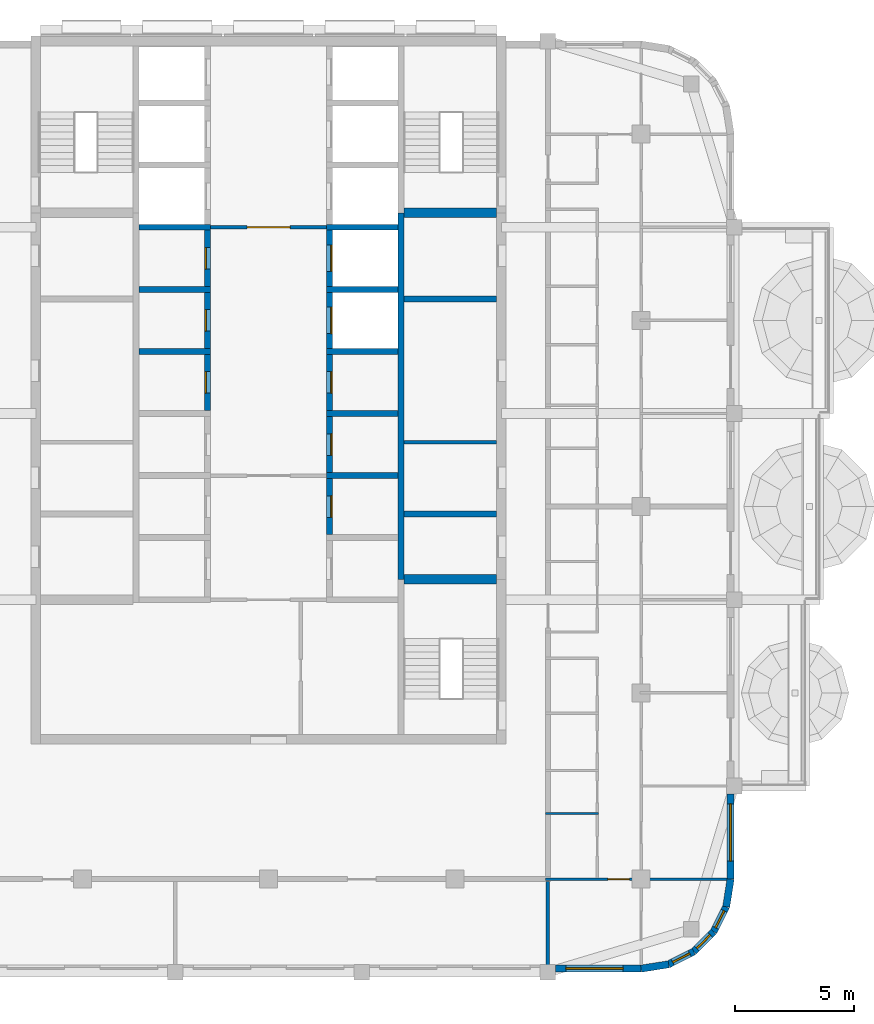
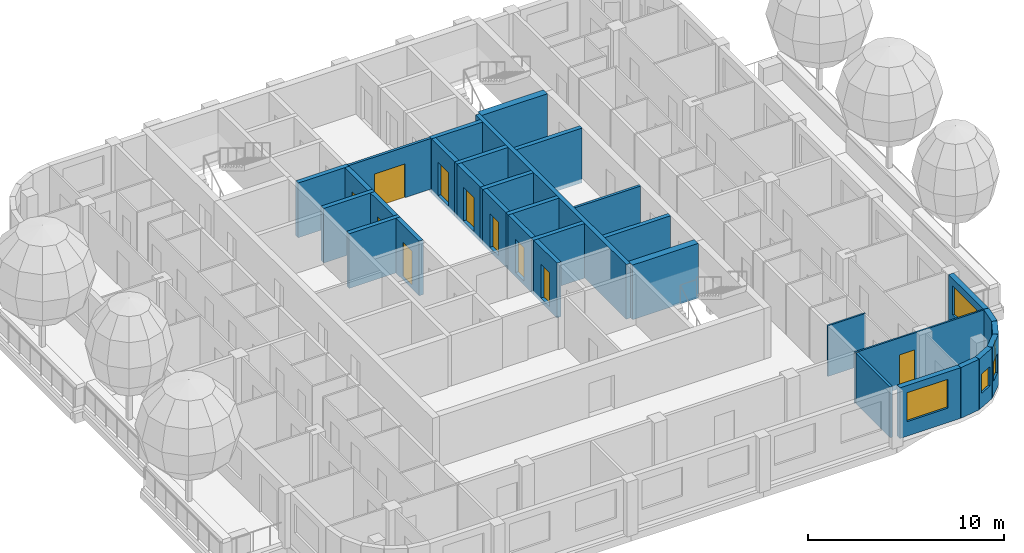
# One storey, part 5 of 13: 33 walls, 10 doors, 5 windows, 15 openings.
"""IFC4 building model written with IfcOpenShell, lengths in metres."""

from ifc_helpers import new_model, si_unit, direction, frame, frame_2d, origin, place, context, subcontext, project, spatial, rectangle, extrude, material, layer, layer_set, type_object, element, fill, save


model = new_model("IFC4")

# Units and contexts
model_context = context("Model", 3, precision=1e-05, world=origin(), true_north=direction((0.0, 1.0)))
body_context = subcontext(model_context, "Body", "Model", "MODEL_VIEW")
ifc_project = project(units=[si_unit("LENGTHUNIT", "METRE"), si_unit("AREAUNIT", "SQUARE_METRE"), si_unit("VOLUMEUNIT", "CUBIC_METRE"), si_unit("PLANEANGLEUNIT", "RADIAN"), si_unit("MASSUNIT", "GRAM", prefix="KILO")], contexts=[model_context])

# Site, building, storey
site_placement = place(None, origin())
site = spatial("IfcSite", under=ifc_project, at=site_placement, CompositionType="ELEMENT")
building_placement = place(site_placement, origin())
building = spatial("IfcBuilding", under=site, at=building_placement, Name="Ludao Terraces", CompositionType="ELEMENT")
storey_placement = place(building_placement, frame((0.0, 0.0, 259.60009765625)))
storey = spatial("IfcBuildingStorey", under=building, at=storey_placement, Name="L71", CompositionType="ELEMENT", Elevation=259.60009765625)

# Wall, opening, window
ifc_material_1 = material(Name="Granite cladding", Category="masonry")
ifc_layer_1 = layer(ifc_material_1, 0.0400390625, Category="stone")
ifc_material_2 = material(Name="Mineral wool")
ifc_layer_2 = layer(ifc_material_2, 0.06005859375)
ifc_material_3 = material(Name="Concrete C40", Category="concrete")
ifc_layer_3 = layer(ifc_material_3, 0.199951171875, Category="concrete")
ifc_layer_set_1 = layer_set([ifc_layer_1, ifc_layer_2, ifc_layer_3], Name="ENV Stone-clad wall 300")
wall_type_1 = type_object("IfcWallType", Name="ENV Stone-clad wall 300", PredefinedType="SOLIDWALL", material=ifc_layer_set_1)
wall_1_placement = place(storey_placement, frame((97.02490234375, 45.64990234375, 0.0), z_axis=(0.0, 0.0, 1.0), x_axis=(1.0, 0.0, 0.0)))
wall_1 = element("IfcWall", 1, at=wall_1_placement, inside=storey, type_object=wall_type_1, Name="EW-L71-S5", PredefinedType="SOLIDWALL", context=body_context, shape_type="SweptSolid", body=[
    extrude(rectangle(XDim=3.5751953125, YDim=0.300048828125, at=frame_2d((1.78759765625, 0.0))), origin(), (0.0, 0.0, 1.0), 3.14990234375),
])
opening_1_placement = place(wall_1_placement, frame((0.425048828125, 0.0, 0.89990234375)))
opening_1 = element("IfcOpeningElement", 2, at=opening_1_placement, cuts=wall_1, Name="Opening W1", PredefinedType="OPENING", context=body_context, shape_type="SweptSolid", body=[
    extrude(rectangle(XDim=2.39990234375, YDim=1.800048828125, at=frame_2d((1.199951171875, 0.89990234375))), frame((0.0, 0.16015625, 0.0), z_axis=(0.0, -1.0, 0.0), x_axis=(1.0, 0.0, 0.0)), (0.0, 0.0, 1.0), 0.320068359375),
])
ifc_material_4 = material(Name="Clear glass in aluminium frame", Category="aluminium")
ifc_layer_4 = layer(ifc_material_4, 0.06005859375)
ifc_layer_set_2 = layer_set([ifc_layer_4], Name="ENV Window W1 2400x1800")
window_type_1 = type_object("IfcWindowType", Name="ENV Window W1 2400x1800", PartitioningType="DOUBLE_PANEL_VERTICAL", PredefinedType="WINDOW", material=ifc_layer_set_2)
window_1_placement = place(opening_1_placement, origin())
window_1 = element("IfcWindow", 3, at=window_1_placement, inside=storey, type_object=window_type_1, Name="W-L71-S5-1", OverallHeight=1.800048828125, OverallWidth=2.39990234375, PartitioningType="DOUBLE_PANEL_VERTICAL", PredefinedType="WINDOW", context=body_context, shape_type="SweptSolid", body=[
    extrude(rectangle(XDim=2.39990234375, YDim=1.800048828125, at=frame_2d((1.199951171875, 0.89990234375))), frame((0.0, 0.030029296875, 0.0), z_axis=(0.0, -1.0, 0.0), x_axis=(1.0, 0.0, 0.0)), (0.0, 0.0, 1.0), 0.06005859375),
])
fill(opening_1, window_1)

wall_2_placement = place(storey_placement, frame((104.35009765625, 49.39990234375, 0.0), z_axis=(0.0, 0.0, 1.0), x_axis=(0.0, 1.0, 0.0)))
wall_2 = element("IfcWall", 4, at=wall_2_placement, inside=storey, type_object=wall_type_1, Name="EW-L71-E1", PredefinedType="SOLIDWALL", context=body_context, shape_type="SweptSolid", body=[
    extrude(rectangle(XDim=3.5751953125, YDim=0.300048828125, at=frame_2d((1.78759765625, 0.0))), origin(), (0.0, 0.0, 1.0), 3.14990234375),
])
opening_2_placement = place(wall_2_placement, frame((0.75, 0.0, 0.89990234375)))
opening_2 = element("IfcOpeningElement", 5, at=opening_2_placement, cuts=wall_2, Name="Opening W1", PredefinedType="OPENING", context=body_context, shape_type="SweptSolid", body=[
    extrude(rectangle(XDim=2.39990234375, YDim=1.800048828125, at=frame_2d((1.199951171875, 0.89990234375))), frame((0.0, 0.16015625, 0.0), z_axis=(0.0, -1.0, 0.0), x_axis=(1.0, 0.0, 0.0)), (0.0, 0.0, 1.0), 0.320068359375),
])
window_2_placement = place(opening_2_placement, origin())
window_2 = element("IfcWindow", 6, at=window_2_placement, inside=storey, type_object=window_type_1, Name="W-L71-E1-1", OverallHeight=1.800048828125, OverallWidth=2.39990234375, PartitioningType="DOUBLE_PANEL_VERTICAL", PredefinedType="WINDOW", context=body_context, shape_type="SweptSolid", body=[
    extrude(rectangle(XDim=2.39990234375, YDim=1.800048828125, at=frame_2d((1.199951171875, 0.89990234375))), frame((0.0, 0.030029296875, 0.0), z_axis=(0.0, -1.0, 0.0), x_axis=(1.0, 0.0, 0.0)), (0.0, 0.0, 1.0), 0.06005859375),
])
fill(opening_2, window_2)

# Wall
wall_3_placement = place(storey_placement, frame((100.60009765625, 45.64990234375, 0.0), z_axis=(0.0, 0.0, 1.0), x_axis=(0.987678452879, 0.156496880861, 0.0)))
element("IfcWall", 7, at=wall_3_placement, inside=storey, type_object=wall_type_1, Name="EW-L71-SE1", PredefinedType="SOLIDWALL", context=body_context, shape_type="SweptSolid", body=[
    extrude(rectangle(XDim=1.173095703125, YDim=0.300048828125, at=frame_2d((0.58642578125, 0.0))), origin(), (0.0, 0.0, 1.0), 3.14990234375),
])

# Wall, opening, window
wall_4_placement = place(storey_placement, frame((101.7587890625, 45.83349609375, 0.0), z_axis=(0.0, 0.0, 1.0), x_axis=(0.890988677504, 0.454025524128, 0.0)))
wall_4 = element("IfcWall", 8, at=wall_4_placement, inside=storey, type_object=wall_type_1, Name="EW-L71-SE2", PredefinedType="SOLIDWALL", context=body_context, shape_type="SweptSolid", body=[
    extrude(rectangle(XDim=1.17333984375, YDim=0.300048828125, at=frame_2d((0.586669921875, 0.0))), origin(), (0.0, 0.0, 1.0), 3.14990234375),
])
opening_3_placement = place(wall_4_placement, frame((0.1865234375, 0.0, 0.89990234375)))
opening_3 = element("IfcOpeningElement", 9, at=opening_3_placement, cuts=wall_4, Name="Opening W3", PredefinedType="OPENING", context=body_context, shape_type="SweptSolid", body=[
    extrude(rectangle(XDim=0.800048828125, YDim=1.199951171875, at=frame_2d((0.39990234375, 0.60009765625))), frame((0.0, 0.16015625, 0.0), z_axis=(0.0, -1.0, 0.0), x_axis=(1.0, 0.0, 0.0)), (0.0, 0.0, 1.0), 0.320068359375),
])
ifc_layer_5 = layer(ifc_material_4, 0.06005859375)
ifc_layer_set_3 = layer_set([ifc_layer_5], Name="ENV Window W3 800x1200")
window_type_2 = type_object("IfcWindowType", Name="ENV Window W3 800x1200", PartitioningType="SINGLE_PANEL", PredefinedType="WINDOW", material=ifc_layer_set_3)
window_3_placement = place(opening_3_placement, origin())
window_3 = element("IfcWindow", 10, at=window_3_placement, inside=storey, type_object=window_type_2, Name="W-L71-SE2", OverallHeight=1.199951171875, OverallWidth=0.800048828125, PartitioningType="SINGLE_PANEL", PredefinedType="WINDOW", context=body_context, shape_type="SweptSolid", body=[
    extrude(rectangle(XDim=0.800048828125, YDim=1.199951171875, at=frame_2d((0.39990234375, 0.60009765625))), frame((0.0, 0.030029296875, 0.0), z_axis=(0.0, -1.0, 0.0), x_axis=(1.0, 0.0, 0.0)), (0.0, 0.0, 1.0), 0.06005859375),
])
fill(opening_3, window_3)

wall_5_placement = place(storey_placement, frame((102.80419921875, 46.3662109375, 0.0), z_axis=(0.0, 0.0, 1.0), x_axis=(0.707106781187, 0.707106781187, 0.0)))
wall_5 = element("IfcWall", 11, at=wall_5_placement, inside=storey, type_object=wall_type_1, Name="EW-L71-SE3", PredefinedType="SOLIDWALL", context=body_context, shape_type="SweptSolid", body=[
    extrude(rectangle(XDim=1.173095703125, YDim=0.300048828125, at=frame_2d((0.58642578125, 0.0))), origin(), (0.0, 0.0, 1.0), 3.14990234375),
])
opening_4_placement = place(wall_5_placement, frame((0.1865234375, 0.0, 0.89990234375)))
opening_4 = element("IfcOpeningElement", 12, at=opening_4_placement, cuts=wall_5, Name="Opening W3", PredefinedType="OPENING", context=body_context, shape_type="SweptSolid", body=[
    extrude(rectangle(XDim=0.800048828125, YDim=1.199951171875, at=frame_2d((0.39990234375, 0.60009765625))), frame((0.0, 0.16015625, 0.0), z_axis=(0.0, -1.0, 0.0), x_axis=(1.0, 0.0, 0.0)), (0.0, 0.0, 1.0), 0.320068359375),
])
window_4_placement = place(opening_4_placement, origin())
window_4 = element("IfcWindow", 13, at=window_4_placement, inside=storey, type_object=window_type_2, Name="W-L71-SE3", OverallHeight=1.199951171875, OverallWidth=0.800048828125, PartitioningType="SINGLE_PANEL", PredefinedType="WINDOW", context=body_context, shape_type="SweptSolid", body=[
    extrude(rectangle(XDim=0.800048828125, YDim=1.199951171875, at=frame_2d((0.39990234375, 0.60009765625))), frame((0.0, 0.030029296875, 0.0), z_axis=(0.0, -1.0, 0.0), x_axis=(1.0, 0.0, 0.0)), (0.0, 0.0, 1.0), 0.06005859375),
])
fill(opening_4, window_4)

wall_6_placement = place(storey_placement, frame((103.6337890625, 47.19580078125, 0.0), z_axis=(0.0, 0.0, 1.0), x_axis=(0.454025524128, 0.890988677504, 0.0)))
wall_6 = element("IfcWall", 14, at=wall_6_placement, inside=storey, type_object=wall_type_1, Name="EW-L71-SE4", PredefinedType="SOLIDWALL", context=body_context, shape_type="SweptSolid", body=[
    extrude(rectangle(XDim=1.17333984375, YDim=0.300048828125, at=frame_2d((0.586669921875, 0.0))), origin(), (0.0, 0.0, 1.0), 3.14990234375),
])
opening_5_placement = place(wall_6_placement, frame((0.1865234375, 0.0, 0.89990234375)))
opening_5 = element("IfcOpeningElement", 15, at=opening_5_placement, cuts=wall_6, Name="Opening W3", PredefinedType="OPENING", context=body_context, shape_type="SweptSolid", body=[
    extrude(rectangle(XDim=0.800048828125, YDim=1.199951171875, at=frame_2d((0.39990234375, 0.60009765625))), frame((0.0, 0.16015625, 0.0), z_axis=(0.0, -1.0, 0.0), x_axis=(1.0, 0.0, 0.0)), (0.0, 0.0, 1.0), 0.320068359375),
])
window_5_placement = place(opening_5_placement, origin())
window_5 = element("IfcWindow", 16, at=window_5_placement, inside=storey, type_object=window_type_2, Name="W-L71-SE4", OverallHeight=1.199951171875, OverallWidth=0.800048828125, PartitioningType="SINGLE_PANEL", PredefinedType="WINDOW", context=body_context, shape_type="SweptSolid", body=[
    extrude(rectangle(XDim=0.800048828125, YDim=1.199951171875, at=frame_2d((0.39990234375, 0.60009765625))), frame((0.0, 0.030029296875, 0.0), z_axis=(0.0, -1.0, 0.0), x_axis=(1.0, 0.0, 0.0)), (0.0, 0.0, 1.0), 0.06005859375),
])
fill(opening_5, window_5)

# Walls
wall_7_placement = place(storey_placement, frame((104.16650390625, 48.2412109375, 0.0), z_axis=(0.0, 0.0, 1.0), x_axis=(0.156496880861, 0.987678452879, 0.0)))
element("IfcWall", 17, at=wall_7_placement, inside=storey, type_object=wall_type_1, Name="EW-L71-SE5", PredefinedType="SOLIDWALL", context=body_context, shape_type="SweptSolid", body=[
    extrude(rectangle(XDim=1.173095703125, YDim=0.300048828125, at=frame_2d((0.58642578125, 0.0))), origin(), (0.0, 0.0, 1.0), 3.14990234375),
])
ifc_material_5 = material(Name="Fire-rated gypsum plasterboard", Category="gypsum")
ifc_layer_6 = layer(ifc_material_5, 0.012451171875, Category="gypsum")
ifc_layer_7 = layer(ifc_material_2, 0.10009765625, Name="insulation")
ifc_material_6 = material(Name="Steel Q235", Category="steel")
ifc_layer_8 = layer(ifc_material_6, 0.02490234375, Name="stud")
ifc_layer_9 = layer(ifc_material_5, 0.012451171875, Category="gypsum")
ifc_layer_set_4 = layer_set([ifc_layer_6, ifc_layer_7, ifc_layer_8, ifc_layer_9], Name="INT Core partition 150")
wall_type_2 = type_object("IfcWallType", Name="INT Core partition 150", PredefinedType="PARTITIONING", material=ifc_layer_set_4)
wall_8_placement = place(storey_placement, frame((90.675048828125, 67.699951171875, 0.0), z_axis=(0.0, 0.0, 1.0), x_axis=(1.0, 0.0, 0.0)))
element("IfcWall", 18, at=wall_8_placement, inside=storey, type_object=wall_type_2, Name="PW-L71-PW028", PredefinedType="PARTITIONING", context=body_context, shape_type="SweptSolid", body=[
    extrude(rectangle(XDim=3.875, YDim=0.14990234375, at=frame_2d((1.9375, 0.0))), origin(), (0.0, 0.0, 1.0), 3.14990234375),
])

# Wall, opening, door
wall_9_placement = place(storey_placement, frame((82.5751953125, 76.699951171875, 0.0), z_axis=(0.0, 0.0, 1.0), x_axis=(1.0, 0.0, 0.0)))
wall_9 = element("IfcWall", 19, at=wall_9_placement, inside=storey, type_object=wall_type_2, Name="PW-L71-PW039", PredefinedType="PARTITIONING", context=body_context, shape_type="SweptSolid", body=[
    extrude(rectangle(XDim=4.849853515625, YDim=0.14990234375, at=frame_2d((2.4248046875, 0.0))), origin(), (0.0, 0.0, 1.0), 3.14990234375),
])
opening_6_placement = place(wall_9_placement, frame((1.52490234375, 0.0, 0.0)))
opening_6 = element("IfcOpeningElement", 20, at=opening_6_placement, cuts=wall_9, Name="Opening R26-070", PredefinedType="OPENING", context=body_context, shape_type="SweptSolid", body=[
    extrude(rectangle(XDim=1.800048828125, YDim=2.10009765625, at=frame_2d((0.89990234375, 1.050048828125))), frame((0.0, 0.0849609375, 0.0), z_axis=(0.0, -1.0, 0.0), x_axis=(1.0, 0.0, 0.0)), (0.0, 0.0, 1.0), 0.169921875),
])
door_type_1 = type_object("IfcDoorType", Name="INT Fire lobby door 1800", OperationType="DOUBLE_DOOR_SINGLE_SWING", PredefinedType="DOOR", material=ifc_material_6)
door_1_placement = place(opening_6_placement, origin())
door_1 = element("IfcDoor", 21, at=door_1_placement, inside=storey, type_object=door_type_1, Name="DOOR 070", OperationType="DOUBLE_DOOR_SINGLE_SWING", OverallHeight=2.10009765625, OverallWidth=1.800048828125, PredefinedType="DOOR", context=body_context, shape_type="SweptSolid", body=[
    extrude(rectangle(XDim=1.800048828125, YDim=2.10009765625, at=frame_2d((0.89990234375, 1.050048828125))), frame((0.0, 0.02490234375, 0.0), z_axis=(0.0, -1.0, 0.0), x_axis=(1.0, 0.0, 0.0)), (0.0, 0.0, 1.0), 0.050048828125),
])
fill(opening_6, door_1)

ifc_material_7 = material(Name="Gypsum plasterboard", Category="gypsum")
ifc_layer_10 = layer(ifc_material_7, 0.012451171875, Category="gypsum")
ifc_layer_11 = layer(ifc_material_2, 0.06005859375, Name="insulation")
ifc_layer_12 = layer(ifc_material_6, 0.014892578125, Name="stud")
ifc_layer_13 = layer(ifc_material_7, 0.012451171875, Category="gypsum")
ifc_layer_set_5 = layer_set([ifc_layer_10, ifc_layer_11, ifc_layer_12, ifc_layer_13], Name="INT Partition 100")
wall_type_3 = type_object("IfcWallType", Name="INT Partition 100", PredefinedType="PARTITIONING", material=ifc_layer_set_5)
wall_10_placement = place(storey_placement, frame((96.60009765625, 49.39990234375, 0.0), z_axis=(0.0, 0.0, 1.0), x_axis=(1.0, 0.0, 0.0)))
wall_10 = element("IfcWall", 22, at=wall_10_placement, inside=storey, type_object=wall_type_3, Name="PW-L71-PW002", PredefinedType="PARTITIONING", context=body_context, shape_type="SweptSolid", body=[
    extrude(rectangle(XDim=7.60009765625, YDim=0.10009765625, at=frame_2d((3.800048828125, 0.0))), origin(), (0.0, 0.0, 1.0), 3.14990234375),
])
opening_7_placement = place(wall_10_placement, frame((2.610107421875, 0.0, 0.0)))
opening_7 = element("IfcOpeningElement", 23, at=opening_7_placement, cuts=wall_10, Name="Opening R26-006", PredefinedType="OPENING", context=body_context, shape_type="SweptSolid", body=[
    extrude(rectangle(XDim=0.89990234375, YDim=2.10009765625, at=frame_2d((0.449951171875, 1.050048828125))), frame((0.0, 0.06005859375, 0.0), z_axis=(0.0, -1.0, 0.0), x_axis=(1.0, 0.0, 0.0)), (0.0, 0.0, 1.0), 0.1201171875),
])
ifc_material_8 = material(Name="Timber door leaf", Category="wood")
door_type_2 = type_object("IfcDoorType", Name="INT Room door 900", OperationType="SINGLE_SWING_LEFT", PredefinedType="DOOR", material=ifc_material_8)
door_2_placement = place(opening_7_placement, origin())
door_2 = element("IfcDoor", 24, at=door_2_placement, inside=storey, type_object=door_type_2, Name="DOOR 006", OperationType="SINGLE_SWING_LEFT", OverallHeight=2.10009765625, OverallWidth=0.89990234375, PredefinedType="DOOR", context=body_context, shape_type="SweptSolid", body=[
    extrude(rectangle(XDim=0.89990234375, YDim=2.10009765625, at=frame_2d((0.449951171875, 1.050048828125))), frame((0.0, 0.02490234375, 0.0), z_axis=(0.0, -1.0, 0.0), x_axis=(1.0, 0.0, 0.0)), (0.0, 0.0, 1.0), 0.050048828125),
])
fill(opening_7, door_2)

# Walls
wall_11_placement = place(storey_placement, frame((96.60009765625, 52.14990234375, 0.0), z_axis=(0.0, 0.0, 1.0), x_axis=(1.0, 0.0, 0.0)))
element("IfcWall", 25, at=wall_11_placement, inside=storey, type_object=wall_type_3, Name="PW-L71-PW004", PredefinedType="PARTITIONING", context=body_context, shape_type="SweptSolid", body=[
    extrude(rectangle(XDim=2.219970703125, YDim=0.10009765625, at=frame_2d((1.10986328125, 0.0))), origin(), (0.0, 0.0, 1.0), 3.14990234375),
])
ifc_material_9 = material(Name="Autoclaved aerated concrete block B06 A3.5", Category="concrete")
ifc_layer_14 = layer(ifc_material_9, 0.14990234375)
ifc_layer_set_6 = layer_set([ifc_layer_14], Name="INT Party wall 150")
wall_type_4 = type_object("IfcWallType", Name="INT Party wall 150", PredefinedType="PARTITIONING", material=ifc_layer_set_6)
wall_12_placement = place(storey_placement, frame((96.699951171875, 45.800048828125, 0.0), z_axis=(0.0, 0.0, 1.0), x_axis=(0.0, 1.0, 0.0)))
element("IfcWall", 26, at=wall_12_placement, inside=storey, type_object=wall_type_4, Name="PW-L71-PW055", PredefinedType="PARTITIONING", context=body_context, shape_type="SweptSolid", body=[
    extrude(rectangle(XDim=3.5, YDim=0.14990234375, at=frame_2d((1.75, 0.0))), origin(), (0.0, 0.0, 1.0), 3.14990234375),
])
ifc_material_10 = material(Name="Concrete C50", Category="concrete")
ifc_layer_15 = layer(ifc_material_10, 0.25)
ifc_layer_set_7 = layer_set([ifc_layer_15], Name="Shaft wall 250 C50")
wall_type_5 = type_object("IfcWallType", Name="Shaft wall 250 C50", PredefinedType="SOLIDWALL", material=ifc_layer_set_7)
wall_13_placement = place(storey_placement, frame((90.550048828125, 61.949951171875, -0.25), z_axis=(0.0, 0.0, 1.0), x_axis=(0.0, 1.0, 0.0)))
element("IfcWall", 27, at=wall_13_placement, inside=storey, type_object=wall_type_5, Name="Core wall L71 back-E", PredefinedType="SOLIDWALL", context=body_context, shape_type="SweptSolid", body=[
    extrude(rectangle(XDim=15.35009765625, YDim=0.25, at=frame_2d((7.675048828125, 0.0))), origin(), (0.0, 0.0, 1.0), 3.39990234375),
])

# Wall, opening, door
wall_14_placement = place(storey_placement, frame((82.449951171875, 69.02490234375, -0.25), z_axis=(0.0, 0.0, 1.0), x_axis=(0.0, 1.0, 0.0)))
wall_14 = element("IfcWall", 28, at=wall_14_placement, inside=storey, type_object=wall_type_5, Name="Core wall L71 front-W4", PredefinedType="SOLIDWALL", context=body_context, shape_type="SweptSolid", body=[
    extrude(rectangle(XDim=2.35009765625, YDim=0.25, at=frame_2d((1.175048828125, 0.0))), origin(), (0.0, 0.0, 1.0), 3.39990234375),
])
opening_8_placement = place(wall_14_placement, frame((0.72509765625, 0.0, 0.25)))
opening_8 = element("IfcOpeningElement", 29, at=opening_8_placement, cuts=wall_14, Name="Opening R26-050", PredefinedType="OPENING", context=body_context, shape_type="SweptSolid", body=[
    extrude(rectangle(XDim=0.89990234375, YDim=2.10009765625, at=frame_2d((0.449951171875, 1.050048828125))), frame((0.0, 0.135009765625, 0.0), z_axis=(0.0, -1.0, 0.0), x_axis=(1.0, 0.0, 0.0)), (0.0, 0.0, 1.0), 0.27001953125),
])
door_3_placement = place(opening_8_placement, origin())
door_3 = element("IfcDoor", 30, at=door_3_placement, inside=storey, type_object=door_type_2, Name="DOOR 050", OperationType="SINGLE_SWING_RIGHT", OverallHeight=2.10009765625, OverallWidth=0.89990234375, PredefinedType="DOOR", context=body_context, shape_type="SweptSolid", body=[
    extrude(rectangle(XDim=0.89990234375, YDim=2.10009765625, at=frame_2d((0.449951171875, 1.050048828125))), frame((0.0, 0.10986328125, 0.0), z_axis=(0.0, -1.0, 0.0), x_axis=(1.0, 0.0, 0.0)), (0.0, 0.0, 1.0), 0.050048828125),
])
fill(opening_8, door_3)

# Wall
wall_15_placement = place(storey_placement, frame((79.574951171875, 71.5, -0.25), z_axis=(0.0, 0.0, 1.0), x_axis=(1.0, 0.0, 0.0)))
element("IfcWall", 31, at=wall_15_placement, inside=storey, type_object=wall_type_5, Name="Core wall L71 div-W5", PredefinedType="SOLIDWALL", context=body_context, shape_type="SweptSolid", body=[
    extrude(rectangle(XDim=3.0, YDim=0.25, at=frame_2d((1.5, 0.0))), origin(), (0.0, 0.0, 1.0), 3.39990234375),
])

# Wall, opening, door
wall_16_placement = place(storey_placement, frame((82.449951171875, 71.625, -0.25), z_axis=(0.0, 0.0, 1.0), x_axis=(0.0, 1.0, 0.0)))
wall_16 = element("IfcWall", 32, at=wall_16_placement, inside=storey, type_object=wall_type_5, Name="Core wall L71 front-W5", PredefinedType="SOLIDWALL", context=body_context, shape_type="SweptSolid", body=[
    extrude(rectangle(XDim=2.35009765625, YDim=0.25, at=frame_2d((1.175048828125, 0.0))), origin(), (0.0, 0.0, 1.0), 3.39990234375),
])
opening_9_placement = place(wall_16_placement, frame((0.72509765625, 0.0, 0.25)))
opening_9 = element("IfcOpeningElement", 33, at=opening_9_placement, cuts=wall_16, Name="Opening R26-058", PredefinedType="OPENING", context=body_context, shape_type="SweptSolid", body=[
    extrude(rectangle(XDim=0.89990234375, YDim=2.10009765625, at=frame_2d((0.449951171875, 1.050048828125))), frame((0.0, 0.135009765625, 0.0), z_axis=(0.0, -1.0, 0.0), x_axis=(1.0, 0.0, 0.0)), (0.0, 0.0, 1.0), 0.27001953125),
])
door_4_placement = place(opening_9_placement, origin())
door_4 = element("IfcDoor", 34, at=door_4_placement, inside=storey, type_object=door_type_2, Name="DOOR 058", OperationType="SINGLE_SWING_LEFT", OverallHeight=2.10009765625, OverallWidth=0.89990234375, PredefinedType="DOOR", context=body_context, shape_type="SweptSolid", body=[
    extrude(rectangle(XDim=0.89990234375, YDim=2.10009765625, at=frame_2d((0.449951171875, 1.050048828125))), frame((0.0, 0.10986328125, 0.0), z_axis=(0.0, -1.0, 0.0), x_axis=(1.0, 0.0, 0.0)), (0.0, 0.0, 1.0), 0.050048828125),
])
fill(opening_9, door_4)

# Wall
wall_17_placement = place(storey_placement, frame((79.574951171875, 74.10009765625, -0.25), z_axis=(0.0, 0.0, 1.0), x_axis=(1.0, 0.0, 0.0)))
element("IfcWall", 35, at=wall_17_placement, inside=storey, type_object=wall_type_5, Name="Core wall L71 div-W6", PredefinedType="SOLIDWALL", context=body_context, shape_type="SweptSolid", body=[
    extrude(rectangle(XDim=3.0, YDim=0.25, at=frame_2d((1.5, 0.0))), origin(), (0.0, 0.0, 1.0), 3.39990234375),
])

# Wall, opening, door
wall_18_placement = place(storey_placement, frame((82.449951171875, 74.22509765625, -0.25), z_axis=(0.0, 0.0, 1.0), x_axis=(0.0, 1.0, 0.0)))
wall_18 = element("IfcWall", 36, at=wall_18_placement, inside=storey, type_object=wall_type_5, Name="Core wall L71 front-W6", PredefinedType="SOLIDWALL", context=body_context, shape_type="SweptSolid", body=[
    extrude(rectangle(XDim=2.349853515625, YDim=0.25, at=frame_2d((1.1748046875, 0.0))), origin(), (0.0, 0.0, 1.0), 3.39990234375),
])
opening_10_placement = place(wall_18_placement, frame((0.72509765625, 0.0, 0.25)))
opening_10 = element("IfcOpeningElement", 37, at=opening_10_placement, cuts=wall_18, Name="Opening R26-063", PredefinedType="OPENING", context=body_context, shape_type="SweptSolid", body=[
    extrude(rectangle(XDim=0.89990234375, YDim=2.10009765625, at=frame_2d((0.449951171875, 1.050048828125))), frame((0.0, 0.135009765625, 0.0), z_axis=(0.0, -1.0, 0.0), x_axis=(1.0, 0.0, 0.0)), (0.0, 0.0, 1.0), 0.27001953125),
])
door_5_placement = place(opening_10_placement, origin())
door_5 = element("IfcDoor", 38, at=door_5_placement, inside=storey, type_object=door_type_2, Name="DOOR 063", OperationType="SINGLE_SWING_LEFT", OverallHeight=2.10009765625, OverallWidth=0.89990234375, PredefinedType="DOOR", context=body_context, shape_type="SweptSolid", body=[
    extrude(rectangle(XDim=0.89990234375, YDim=2.10009765625, at=frame_2d((0.449951171875, 1.050048828125))), frame((0.0, 0.10986328125, 0.0), z_axis=(0.0, -1.0, 0.0), x_axis=(1.0, 0.0, 0.0)), (0.0, 0.0, 1.0), 0.050048828125),
])
fill(opening_10, door_5)

# Wall
wall_19_placement = place(storey_placement, frame((79.574951171875, 76.699951171875, -0.25), z_axis=(0.0, 0.0, 1.0), x_axis=(1.0, 0.0, 0.0)))
element("IfcWall", 39, at=wall_19_placement, inside=storey, type_object=wall_type_5, Name="Core wall L71 div-W7", PredefinedType="SOLIDWALL", context=body_context, shape_type="SweptSolid", body=[
    extrude(rectangle(XDim=3.0, YDim=0.25, at=frame_2d((1.5, 0.0))), origin(), (0.0, 0.0, 1.0), 3.39990234375),
])

# Wall, opening, door
wall_20_placement = place(storey_placement, frame((87.550048828125, 63.824951171875, -0.25), z_axis=(0.0, 0.0, 1.0), x_axis=(0.0, 1.0, 0.0)))
wall_20 = element("IfcWall", 40, at=wall_20_placement, inside=storey, type_object=wall_type_5, Name="Core wall L71 front-E2", PredefinedType="SOLIDWALL", context=body_context, shape_type="SweptSolid", body=[
    extrude(rectangle(XDim=2.35009765625, YDim=0.25, at=frame_2d((1.175048828125, 0.0))), origin(), (0.0, 0.0, 1.0), 3.39990234375),
])
opening_11_placement = place(wall_20_placement, frame((0.72509765625, 0.0, 0.25)))
opening_11 = element("IfcOpeningElement", 41, at=opening_11_placement, cuts=wall_20, Name="Opening R26-038", PredefinedType="OPENING", context=body_context, shape_type="SweptSolid", body=[
    extrude(rectangle(XDim=0.89990234375, YDim=2.10009765625, at=frame_2d((0.449951171875, 1.050048828125))), frame((0.0, 0.135009765625, 0.0), z_axis=(0.0, -1.0, 0.0), x_axis=(1.0, 0.0, 0.0)), (0.0, 0.0, 1.0), 0.27001953125),
])
door_6_placement = place(opening_11_placement, origin())
door_6 = element("IfcDoor", 42, at=door_6_placement, inside=storey, type_object=door_type_2, Name="DOOR 038", OperationType="SINGLE_SWING_RIGHT", OverallHeight=2.10009765625, OverallWidth=0.89990234375, PredefinedType="DOOR", context=body_context, shape_type="SweptSolid", body=[
    extrude(rectangle(XDim=0.89990234375, YDim=2.10009765625, at=frame_2d((0.449951171875, 1.050048828125))), frame((0.0, -0.06005859375, 0.0), z_axis=(0.0, -1.0, 0.0), x_axis=(1.0, 0.0, 0.0)), (0.0, 0.0, 1.0), 0.050048828125),
])
fill(opening_11, door_6)

# Wall
wall_21_placement = place(storey_placement, frame((87.425048828125, 66.300048828125, -0.25), z_axis=(0.0, 0.0, 1.0), x_axis=(1.0, 0.0, 0.0)))
element("IfcWall", 43, at=wall_21_placement, inside=storey, type_object=wall_type_5, Name="Core wall L71 div-E3", PredefinedType="SOLIDWALL", context=body_context, shape_type="SweptSolid", body=[
    extrude(rectangle(XDim=3.0, YDim=0.25, at=frame_2d((1.5, 0.0))), origin(), (0.0, 0.0, 1.0), 3.39990234375),
])

# Wall, opening, door
wall_22_placement = place(storey_placement, frame((87.550048828125, 66.425048828125, -0.25), z_axis=(0.0, 0.0, 1.0), x_axis=(0.0, 1.0, 0.0)))
wall_22 = element("IfcWall", 44, at=wall_22_placement, inside=storey, type_object=wall_type_5, Name="Core wall L71 front-E3", PredefinedType="SOLIDWALL", context=body_context, shape_type="SweptSolid", body=[
    extrude(rectangle(XDim=2.349853515625, YDim=0.25, at=frame_2d((1.1748046875, 0.0))), origin(), (0.0, 0.0, 1.0), 3.39990234375),
])
opening_12_placement = place(wall_22_placement, frame((0.72509765625, 0.0, 0.25)))
opening_12 = element("IfcOpeningElement", 45, at=opening_12_placement, cuts=wall_22, Name="Opening R26-047", PredefinedType="OPENING", context=body_context, shape_type="SweptSolid", body=[
    extrude(rectangle(XDim=0.89990234375, YDim=2.10009765625, at=frame_2d((0.449951171875, 1.050048828125))), frame((0.0, 0.135009765625, 0.0), z_axis=(0.0, -1.0, 0.0), x_axis=(1.0, 0.0, 0.0)), (0.0, 0.0, 1.0), 0.27001953125),
])
door_7_placement = place(opening_12_placement, origin())
door_7 = element("IfcDoor", 46, at=door_7_placement, inside=storey, type_object=door_type_2, Name="DOOR 047", OperationType="SINGLE_SWING_RIGHT", OverallHeight=2.10009765625, OverallWidth=0.89990234375, PredefinedType="DOOR", context=body_context, shape_type="SweptSolid", body=[
    extrude(rectangle(XDim=0.89990234375, YDim=2.10009765625, at=frame_2d((0.449951171875, 1.050048828125))), frame((0.0, -0.06005859375, 0.0), z_axis=(0.0, -1.0, 0.0), x_axis=(1.0, 0.0, 0.0)), (0.0, 0.0, 1.0), 0.050048828125),
])
fill(opening_12, door_7)

# Wall
wall_23_placement = place(storey_placement, frame((87.425048828125, 68.89990234375, -0.25), z_axis=(0.0, 0.0, 1.0), x_axis=(1.0, 0.0, 0.0)))
element("IfcWall", 47, at=wall_23_placement, inside=storey, type_object=wall_type_5, Name="Core wall L71 div-E4", PredefinedType="SOLIDWALL", context=body_context, shape_type="SweptSolid", body=[
    extrude(rectangle(XDim=3.0, YDim=0.25, at=frame_2d((1.5, 0.0))), origin(), (0.0, 0.0, 1.0), 3.39990234375),
])

# Wall, opening, door
wall_24_placement = place(storey_placement, frame((87.550048828125, 69.02490234375, -0.25), z_axis=(0.0, 0.0, 1.0), x_axis=(0.0, 1.0, 0.0)))
wall_24 = element("IfcWall", 48, at=wall_24_placement, inside=storey, type_object=wall_type_5, Name="Core wall L71 front-E4", PredefinedType="SOLIDWALL", context=body_context, shape_type="SweptSolid", body=[
    extrude(rectangle(XDim=2.35009765625, YDim=0.25, at=frame_2d((1.175048828125, 0.0))), origin(), (0.0, 0.0, 1.0), 3.39990234375),
])
opening_13_placement = place(wall_24_placement, frame((0.72509765625, 0.0, 0.25)))
opening_13 = element("IfcOpeningElement", 49, at=opening_13_placement, cuts=wall_24, Name="Opening R26-051", PredefinedType="OPENING", context=body_context, shape_type="SweptSolid", body=[
    extrude(rectangle(XDim=0.89990234375, YDim=2.10009765625, at=frame_2d((0.449951171875, 1.050048828125))), frame((0.0, 0.135009765625, 0.0), z_axis=(0.0, -1.0, 0.0), x_axis=(1.0, 0.0, 0.0)), (0.0, 0.0, 1.0), 0.27001953125),
])
door_8_placement = place(opening_13_placement, origin())
door_8 = element("IfcDoor", 50, at=door_8_placement, inside=storey, type_object=door_type_2, Name="DOOR 051", OperationType="SINGLE_SWING_LEFT", OverallHeight=2.10009765625, OverallWidth=0.89990234375, PredefinedType="DOOR", context=body_context, shape_type="SweptSolid", body=[
    extrude(rectangle(XDim=0.89990234375, YDim=2.10009765625, at=frame_2d((0.449951171875, 1.050048828125))), frame((0.0, -0.06005859375, 0.0), z_axis=(0.0, -1.0, 0.0), x_axis=(1.0, 0.0, 0.0)), (0.0, 0.0, 1.0), 0.050048828125),
])
fill(opening_13, door_8)

# Wall
wall_25_placement = place(storey_placement, frame((87.425048828125, 71.5, -0.25), z_axis=(0.0, 0.0, 1.0), x_axis=(1.0, 0.0, 0.0)))
element("IfcWall", 51, at=wall_25_placement, inside=storey, type_object=wall_type_5, Name="Core wall L71 div-E5", PredefinedType="SOLIDWALL", context=body_context, shape_type="SweptSolid", body=[
    extrude(rectangle(XDim=3.0, YDim=0.25, at=frame_2d((1.5, 0.0))), origin(), (0.0, 0.0, 1.0), 3.39990234375),
])

# Wall, opening, door
wall_26_placement = place(storey_placement, frame((87.550048828125, 71.625, -0.25), z_axis=(0.0, 0.0, 1.0), x_axis=(0.0, 1.0, 0.0)))
wall_26 = element("IfcWall", 52, at=wall_26_placement, inside=storey, type_object=wall_type_5, Name="Core wall L71 front-E5", PredefinedType="SOLIDWALL", context=body_context, shape_type="SweptSolid", body=[
    extrude(rectangle(XDim=2.35009765625, YDim=0.25, at=frame_2d((1.175048828125, 0.0))), origin(), (0.0, 0.0, 1.0), 3.39990234375),
])
opening_14_placement = place(wall_26_placement, frame((0.625, 0.0, 0.25)))
opening_14 = element("IfcOpeningElement", 53, at=opening_14_placement, cuts=wall_26, Name="Opening LD-LB1", PredefinedType="OPENING", context=body_context, shape_type="SweptSolid", body=[
    extrude(rectangle(XDim=1.10009765625, YDim=2.10009765625, at=frame_2d((0.550048828125, 1.050048828125))), frame((0.0, 0.135009765625, 0.0), z_axis=(0.0, -1.0, 0.0), x_axis=(1.0, 0.0, 0.0)), (0.0, 0.0, 1.0), 0.27001953125),
])
ifc_material_11 = material(Name="Stainless steel 304", Category="steel")
door_type_3 = type_object("IfcDoorType", Name="INT Lift landing door 1100", OperationType="SLIDING_TO_LEFT", PredefinedType="DOOR", material=ifc_material_11)
door_9_placement = place(opening_14_placement, origin())
door_9 = element("IfcDoor", 54, at=door_9_placement, inside=storey, type_object=door_type_3, Name="LANDING DOOR LB1 L71", OperationType="SLIDING_TO_LEFT", OverallHeight=2.10009765625, OverallWidth=1.10009765625, PredefinedType="DOOR", context=body_context, shape_type="SweptSolid", body=[
    extrude(rectangle(XDim=1.10009765625, YDim=2.10009765625, at=frame_2d((0.550048828125, 1.050048828125))), frame((0.0, -0.06005859375, 0.0), z_axis=(0.0, -1.0, 0.0), x_axis=(1.0, 0.0, 0.0)), (0.0, 0.0, 1.0), 0.050048828125),
])
fill(opening_14, door_9)

# Wall
wall_27_placement = place(storey_placement, frame((87.425048828125, 74.10009765625, -0.25), z_axis=(0.0, 0.0, 1.0), x_axis=(1.0, 0.0, 0.0)))
element("IfcWall", 55, at=wall_27_placement, inside=storey, type_object=wall_type_5, Name="Core wall L71 div-E6", PredefinedType="SOLIDWALL", context=body_context, shape_type="SweptSolid", body=[
    extrude(rectangle(XDim=3.0, YDim=0.25, at=frame_2d((1.5, 0.0))), origin(), (0.0, 0.0, 1.0), 3.39990234375),
])

# Wall, opening, door
wall_28_placement = place(storey_placement, frame((87.550048828125, 74.22509765625, -0.25), z_axis=(0.0, 0.0, 1.0), x_axis=(0.0, 1.0, 0.0)))
wall_28 = element("IfcWall", 56, at=wall_28_placement, inside=storey, type_object=wall_type_5, Name="Core wall L71 front-E6", PredefinedType="SOLIDWALL", context=body_context, shape_type="SweptSolid", body=[
    extrude(rectangle(XDim=2.349853515625, YDim=0.25, at=frame_2d((1.1748046875, 0.0))), origin(), (0.0, 0.0, 1.0), 3.39990234375),
])
opening_15_placement = place(wall_28_placement, frame((0.625, 0.0, 0.25)))
opening_15 = element("IfcOpeningElement", 57, at=opening_15_placement, cuts=wall_28, Name="Opening LD-LB2", PredefinedType="OPENING", context=body_context, shape_type="SweptSolid", body=[
    extrude(rectangle(XDim=1.10009765625, YDim=2.10009765625, at=frame_2d((0.550048828125, 1.050048828125))), frame((0.0, 0.135009765625, 0.0), z_axis=(0.0, -1.0, 0.0), x_axis=(1.0, 0.0, 0.0)), (0.0, 0.0, 1.0), 0.27001953125),
])
door_10_placement = place(opening_15_placement, origin())
door_10 = element("IfcDoor", 58, at=door_10_placement, inside=storey, type_object=door_type_3, Name="LANDING DOOR LB2 L71", OperationType="SLIDING_TO_LEFT", OverallHeight=2.10009765625, OverallWidth=1.10009765625, PredefinedType="DOOR", context=body_context, shape_type="SweptSolid", body=[
    extrude(rectangle(XDim=1.10009765625, YDim=2.10009765625, at=frame_2d((0.550048828125, 1.050048828125))), frame((0.0, -0.06005859375, 0.0), z_axis=(0.0, -1.0, 0.0), x_axis=(1.0, 0.0, 0.0)), (0.0, 0.0, 1.0), 0.050048828125),
])
fill(opening_15, door_10)

# Walls
wall_29_placement = place(storey_placement, frame((87.425048828125, 76.699951171875, -0.25), z_axis=(0.0, 0.0, 1.0), x_axis=(1.0, 0.0, 0.0)))
element("IfcWall", 59, at=wall_29_placement, inside=storey, type_object=wall_type_5, Name="Core wall L71 div-E7", PredefinedType="SOLIDWALL", context=body_context, shape_type="SweptSolid", body=[
    extrude(rectangle(XDim=3.0, YDim=0.25, at=frame_2d((1.5, 0.0))), origin(), (0.0, 0.0, 1.0), 3.39990234375),
])
for number, where, z_axis, x_axis, name in (
    (60, (90.675048828125, 64.699951171875, -0.25), (0.0, 0.0, 1.0), (1.0, 0.0, 0.0), "Core wall L71 riser-a-E"),
    (61, (90.675048828125, 73.699951171875, -0.25), (0.0, 0.0, 1.0), (1.0, 0.0, 0.0), "Core wall L71 riser-b-E"),
):
    element("IfcWall", number, at=place(storey_placement, frame(where, z_axis=z_axis, x_axis=x_axis)), inside=storey, type_object=wall_type_5, Name=name, PredefinedType="SOLIDWALL", context=body_context, shape_type="SweptSolid", body=[
        extrude(rectangle(XDim=3.875, YDim=0.25, at=frame_2d((1.9375, 0.0))), origin(), (0.0, 0.0, 1.0), 3.39990234375),
    ])
ifc_layer_16 = layer(ifc_material_10, 0.39990234375)
ifc_layer_set_8 = layer_set([ifc_layer_16], Name="Shaft wall 400 C50")
wall_type_6 = type_object("IfcWallType", Name="Shaft wall 400 C50", PredefinedType="SOLIDWALL", material=ifc_layer_set_8)
for number, where, z_axis, x_axis, name in (
    (62, (90.675048828125, 61.949951171875, -0.25), (0.0, 0.0, 1.0), (1.0, 0.0, 0.0), "Core wall L71 hall-E"),
    (63, (90.675048828125, 77.300048828125, -0.25), (0.0, 0.0, 1.0), (1.0, 0.0, 0.0), "Core wall L71 stair-E"),
):
    element("IfcWall", number, at=place(storey_placement, frame(where, z_axis=z_axis, x_axis=x_axis)), inside=storey, type_object=wall_type_6, Name=name, PredefinedType="SOLIDWALL", context=body_context, shape_type="SweptSolid", body=[
        extrude(rectangle(XDim=3.875, YDim=0.39990234375, at=frame_2d((1.9375, 0.0))), origin(), (0.0, 0.0, 1.0), 3.39990234375),
    ])

save(model, "model.ifc")
